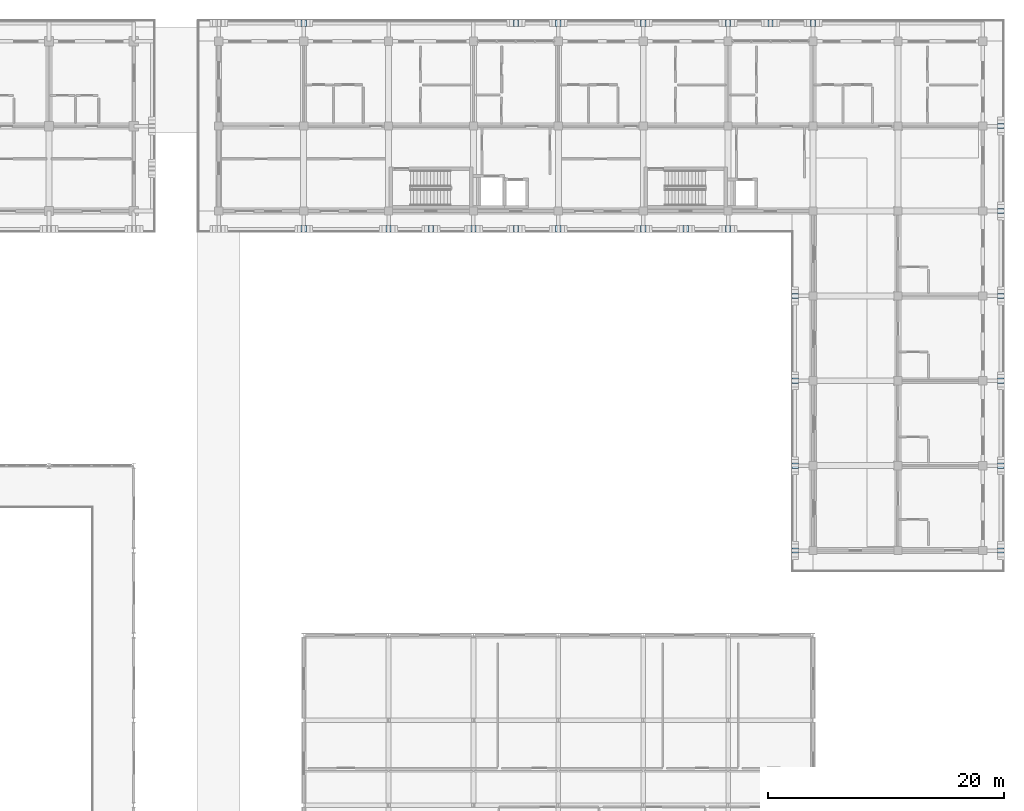
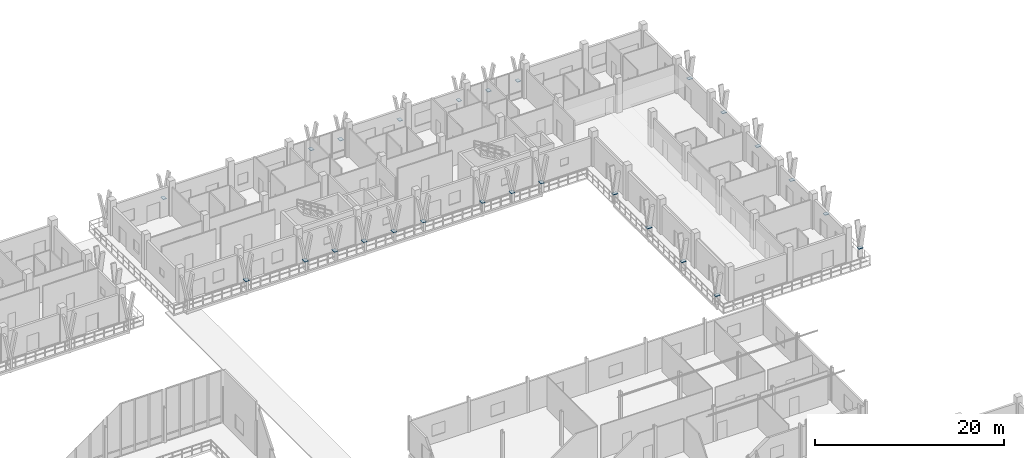
# One storey, part 63 of 110: 26 plates.
"""IFC4 building model written with IfcOpenShell, lengths in metres."""

from ifc_helpers import new_model, si_unit, direction, frame, origin, origin_2d, place, context, subcontext, project, spatial, rectangle, extrude, material, layer, layer_set, type_object, element, save


model = new_model("IFC4")

# Units and contexts
model_context = context("Model", 3, precision=1e-05, world=origin(), true_north=direction((0.0, 1.0)))
body_context = subcontext(model_context, "Body", "Model", "MODEL_VIEW")
ifc_project = project(units=[si_unit("LENGTHUNIT", "METRE"), si_unit("AREAUNIT", "SQUARE_METRE"), si_unit("VOLUMEUNIT", "CUBIC_METRE"), si_unit("PLANEANGLEUNIT", "RADIAN"), si_unit("MASSUNIT", "GRAM", prefix="KILO")], contexts=[model_context])

# Site, building, storey
site_placement = place(None, origin())
site = spatial("IfcSite", under=ifc_project, at=site_placement, CompositionType="ELEMENT")
building_placement = place(site_placement, origin())
building = spatial("IfcBuilding", under=site, at=building_placement, Name="Suanplinth Sawtooth Commons", CompositionType="ELEMENT")
storey_placement = place(building_placement, frame((0.0, 0.0, 4.5)))
storey = spatial("IfcBuildingStorey", under=building, at=storey_placement, Name="L01", CompositionType="ELEMENT", Elevation=4.5)

# Plates
ifc_material = material(Name="Pigmented precast concrete C40/50", Category="concrete")
ifc_layer = layer(ifc_material, 0.06005859375, Name="Precast Y-blade bifurcation node plate 60mm")
ifc_layer_set = layer_set([ifc_layer], Name="Pigmented precast concrete C40/50")
plate_type = type_object("IfcPlateType", Name="PL-04", PredefinedType="USERDEFINED", material=ifc_layer_set)
for number, where, z_axis, x_axis, name in (
    (1, (129.60009765625, 123.919921875, 1.119873046875), (0.0, 0.0, 1.0), (1.0, 0.0, 0.0), "Y-Blade Node Plate L01-B-N-02"),
    (2, (147.60009765625, 123.919921875, 1.119873046875), (0.0, 0.0, 1.0), (1.0, 0.0, 0.0), "Y-Blade Node Plate L01-B-N-03"),
    (3, (151.199951171875, 123.919921875, 1.119873046875), (0.0, 0.0, 1.0), (1.0, 0.0, 0.0), "Y-Blade Node Plate L01-B-N-04"),
    (4, (158.39990234375, 123.919921875, 1.119873046875), (0.0, 0.0, 1.0), (1.0, 0.0, 0.0), "Y-Blade Node Plate L01-B-N-05"),
    (5, (165.60009765625, 123.919921875, 1.119873046875), (0.0, 0.0, 1.0), (1.0, 0.0, 0.0), "Y-Blade Node Plate L01-B-N-06"),
    (6, (169.199951171875, 123.919921875, 1.119873046875), (0.0, 0.0, 1.0), (1.0, 0.0, 0.0), "Y-Blade Node Plate L01-B-N-07"),
    (7, (172.800048828125, 123.919921875, 1.119873046875), (0.0, 0.0, 1.0), (1.0, 0.0, 0.0), "Y-Blade Node Plate L01-B-N-08"),
    (8, (188.719970703125, 79.199951171875, 1.119873046875), (0.0, 0.0, 1.0), (0.0, 1.0, 0.0), "Y-Blade Node Plate L01-B-E-09"),
    (9, (188.719970703125, 86.39990234375, 1.119873046875), (0.0, 0.0, 1.0), (0.0, 1.0, 0.0), "Y-Blade Node Plate L01-B-E-10"),
    (10, (188.719970703125, 93.60009765625, 1.119873046875), (0.0, 0.0, 1.0), (0.0, 1.0, 0.0), "Y-Blade Node Plate L01-B-E-11"),
    (11, (188.719970703125, 100.800048828125, 1.119873046875), (0.0, 0.0, 1.0), (0.0, 1.0, 0.0), "Y-Blade Node Plate L01-B-E-12"),
    (12, (188.719970703125, 108.0, 1.119873046875), (0.0, 0.0, 1.0), (0.0, 1.0, 0.0), "Y-Blade Node Plate L01-B-E-13"),
    (13, (188.719970703125, 115.199951171875, 1.119873046875), (0.0, 0.0, 1.0), (0.0, 1.0, 0.0), "Y-Blade Node Plate L01-B-E-14"),
    (14, (129.60009765625, 106.47998046875, 1.119873046875), (0.0, 0.0, 1.0), (1.0, 0.0, 0.0), "Y-Blade Node Plate L01-B-SC-16"),
    (15, (136.800048828125, 106.47998046875, 1.119873046875), (0.0, 0.0, 1.0), (1.0, 0.0, 0.0), "Y-Blade Node Plate L01-B-SC-17"),
    (16, (140.39990234375, 106.47998046875, 1.119873046875), (0.0, 0.0, 1.0), (1.0, 0.0, 0.0), "Y-Blade Node Plate L01-B-SC-18"),
    (17, (144.0, 106.47998046875, 1.119873046875), (0.0, 0.0, 1.0), (1.0, 0.0, 0.0), "Y-Blade Node Plate L01-B-SC-19"),
    (18, (147.60009765625, 106.47998046875, 1.119873046875), (0.0, 0.0, 1.0), (1.0, 0.0, 0.0), "Y-Blade Node Plate L01-B-SC-20"),
    (19, (151.199951171875, 106.47998046875, 1.119873046875), (0.0, 0.0, 1.0), (1.0, 0.0, 0.0), "Y-Blade Node Plate L01-B-SC-21"),
    (20, (158.39990234375, 106.47998046875, 1.119873046875), (0.0, 0.0, 1.0), (1.0, 0.0, 0.0), "Y-Blade Node Plate L01-B-SC-22"),
    (21, (162.0, 106.47998046875, 1.119873046875), (0.0, 0.0, 1.0), (1.0, 0.0, 0.0), "Y-Blade Node Plate L01-B-SC-23"),
    (22, (165.60009765625, 106.47998046875, 1.119873046875), (0.0, 0.0, 1.0), (1.0, 0.0, 0.0), "Y-Blade Node Plate L01-B-SC-24"),
    (23, (171.280029296875, 79.199951171875, 1.119873046875), (0.0, 0.0, 1.0), (0.0, 1.0, 0.0), "Y-Blade Node Plate L01-B-WC-25"),
    (24, (171.280029296875, 86.39990234375, 1.119873046875), (0.0, 0.0, 1.0), (0.0, 1.0, 0.0), "Y-Blade Node Plate L01-B-WC-26"),
    (25, (171.280029296875, 93.60009765625, 1.119873046875), (0.0, 0.0, 1.0), (0.0, 1.0, 0.0), "Y-Blade Node Plate L01-B-WC-27"),
    (26, (171.280029296875, 100.800048828125, 1.119873046875), (0.0, 0.0, 1.0), (0.0, 1.0, 0.0), "Y-Blade Node Plate L01-B-WC-28"),
):
    element("IfcPlate", number, at=place(storey_placement, frame(where, z_axis=z_axis, x_axis=x_axis)), inside=storey, type_object=plate_type, Name=name, ObjectType="GUSSET PLATE", PredefinedType="USERDEFINED", context=body_context, shape_type="SweptSolid", body=[
        extrude(rectangle(XDim=0.43994140625, YDim=0.550048828125, at=origin_2d()), origin(), (0.0, 0.0, 1.0), 0.06005859375),
    ])

save(model, "model.ifc")
